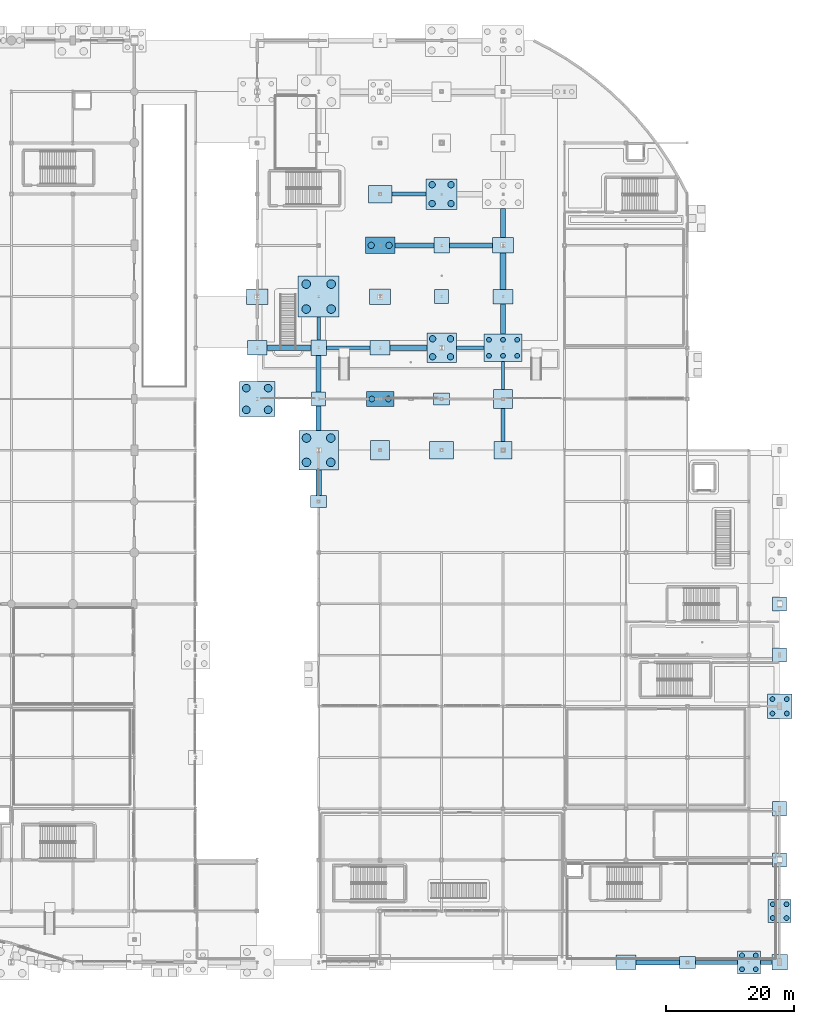
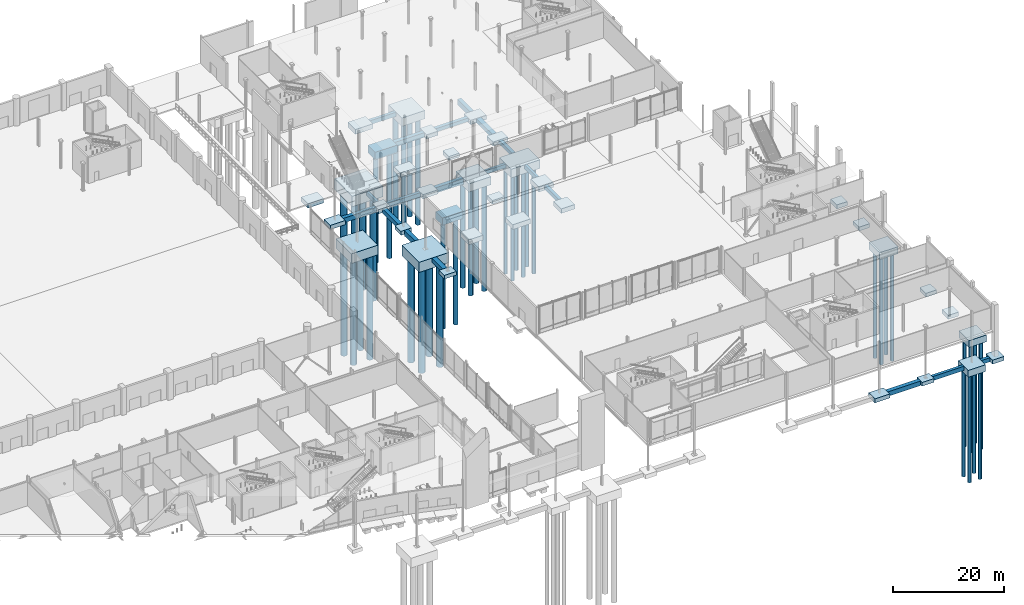
# One storey, part 2 of 124: 54 footings, 42 piles.
"""IFC4 building model written with IfcOpenShell, lengths in metres."""

import ifcopenshell
import ifcopenshell.guid

model = None  # the IFC model being written
_history = None  # IfcOwnerHistory: only IFC2X3 demands one
_inside = {}  # id of a spatial element -> (the spatial element, [elements in it])
_under = {}  # id of a project, library or spatial element -> (it, [spatial elements below it])
_declared = {}  # id of a project -> (the project, [libraries it declares])
_typed = {}  # id of a type object -> (the type object, [elements of that type])
_made_of = {}  # id of a material, layer set ... -> (it, [elements and type objects made of it])


def new_model(schema):
    """Start an empty IFC model of exactly this schema.

    Asked for "IFC4X3", IfcOpenShell would pick the latest addendum, in which some entities
    have other attributes; the version numbers below select the first issue.
    IFC2X3 requires an IfcOwnerHistory on every rooted entity: one is made here for all.
    """
    global model, _history
    if schema == "IFC4X3":
        model = ifcopenshell.file(schema_version=(4, 3, 0, 0))
    else:
        model = ifcopenshell.file(schema=schema)
    _inside.clear()
    _under.clear()
    _declared.clear()
    _typed.clear()
    _made_of.clear()
    _history = None
    if model.schema == "IFC2X3":
        org = make("IfcOrganization", Name="unknown")
        user = make(
            "IfcPersonAndOrganization",
            ThePerson=make("IfcPerson", FamilyName="unknown"),
            TheOrganization=org,
        )
        app = make(
            "IfcApplication",
            ApplicationDeveloper=org,
            Version="unknown",
            ApplicationFullName="unknown",
            ApplicationIdentifier="unknown",
        )
        _history = make(
            "IfcOwnerHistory",
            OwningUser=user,
            OwningApplication=app,
            ChangeAction="ADDED",
            CreationDate=0,
        )
    return model


def make(cls, **values):
    """One entity of the class cls with the attributes given. An attribute that is None is left unset."""
    return model.create_entity(
        cls, **{name: value for name, value in values.items() if value is not None}
    )


def rooted(cls, **values):
    """An entity with a GlobalId (a new one), such as an element, a storey or a relation."""
    return make(cls, GlobalId=ifcopenshell.guid.new(), OwnerHistory=_history, **values)


def si_unit(unit_type, name, prefix=None):
    """IfcSIUnit, for example si_unit("LENGTHUNIT", "METRE", prefix="MILLI")."""
    return make("IfcSIUnit", UnitType=unit_type, Prefix=prefix, Name=name)


def assignment(units):
    """IfcUnitAssignment: the units of a project."""
    return None if units is None else make("IfcUnitAssignment", Units=units)


def point(xyz):
    """IfcCartesianPoint."""
    return None if xyz is None else make("IfcCartesianPoint", Coordinates=xyz)


def direction(xyz):
    """IfcDirection."""
    return None if xyz is None else make("IfcDirection", DirectionRatios=xyz)


def frame(location, z_axis=None, x_axis=None):
    """IfcAxis2Placement3D, a coordinate frame: its origin and axes. An axis left out is left unset."""
    return make(
        "IfcAxis2Placement3D",
        Location=point(location),
        Axis=direction(z_axis),
        RefDirection=direction(x_axis),
    )


def frame_2d(location, x_axis=None):
    """IfcAxis2Placement2D, a coordinate frame in the plane: its origin and x axis."""
    return make(
        "IfcAxis2Placement2D", Location=point(location), RefDirection=direction(x_axis)
    )


def origin():
    """The frame at (0, 0, 0) with its axes left unset."""
    return frame((0.0, 0.0, 0.0))


def origin_2d():
    """The frame at (0, 0) in the plane with its x axis left unset."""
    return frame_2d((0.0, 0.0))


def place(relative_to, where):
    """IfcLocalPlacement: puts the frame where relative to a parent placement (None: the world)."""
    return make(
        "IfcLocalPlacement", PlacementRelTo=relative_to, RelativePlacement=where
    )


def context(
    kind, dimensions, precision=None, world=None, true_north=None, identifier=None
):
    """IfcGeometricRepresentationContext, for example the 3D "Model" context."""
    return make(
        "IfcGeometricRepresentationContext",
        ContextIdentifier=identifier,
        ContextType=kind,
        CoordinateSpaceDimension=dimensions,
        Precision=precision,
        WorldCoordinateSystem=world,
        TrueNorth=true_north,
    )


def subcontext(parent, identifier, kind, view, scale=None):
    """IfcGeometricRepresentationSubContext, for example "Body" below "Model"."""
    return make(
        "IfcGeometricRepresentationSubContext",
        ContextIdentifier=identifier,
        ContextType=kind,
        ParentContext=parent,
        TargetScale=scale,
        TargetView=view,
    )


def project(units=None, contexts=None):
    """IfcProject with its units and contexts."""
    return rooted(
        "IfcProject",
        Name="project",
        RepresentationContexts=contexts,
        UnitsInContext=assignment(units),
    )


def spatial(cls, under=None, at=None, **own):
    """A site, building, storey or space (cls), placed at a placement, below another one or the project."""
    s = rooted(cls, ObjectPlacement=at, **own)
    if under is not None:
        _under.setdefault(under.id(), (under, []))[1].append(s)
    return s


def profile(cls, at=None, kind="AREA", **sizes):
    """A parametric profile (cls). Its sizes go by their IFC names, for example OverallWidth=200.0."""
    return make(cls, ProfileType=kind, Position=at, **sizes)


def rectangle(**sizes):
    """IfcRectangleProfileDef."""
    return profile("IfcRectangleProfileDef", **sizes)


def circle(**sizes):
    """IfcCircleProfileDef."""
    return profile("IfcCircleProfileDef", **sizes)


def extrude(swept, where, along, depth):
    """IfcExtrudedAreaSolid: the profile swept, set in the frame where, extruded along a direction by depth."""
    return make(
        "IfcExtrudedAreaSolid",
        SweptArea=swept,
        Position=where,
        ExtrudedDirection=direction(along),
        Depth=depth,
    )


def shape(context_of_items, identifier, shape_type, items):
    """IfcShapeRepresentation: the items that make up one representation, for example the "Body"."""
    return make(
        "IfcShapeRepresentation",
        ContextOfItems=context_of_items,
        RepresentationIdentifier=identifier,
        RepresentationType=shape_type,
        Items=items,
    )


def material(Name=None, Category=None):
    """IfcMaterial."""
    return make("IfcMaterial", Name=Name, Category=Category)


def material_profile(
    of_material, cross_section, Name=None, Category=None, Priority=None
):
    """IfcMaterialProfile: a cross section and its material."""
    return make(
        "IfcMaterialProfile",
        Name=Name,
        Material=of_material,
        Profile=cross_section,
        Priority=Priority,
        Category=Category,
    )


def profile_set(profiles, Name=None, composite=None):
    """IfcMaterialProfileSet."""
    return make(
        "IfcMaterialProfileSet",
        Name=Name,
        MaterialProfiles=profiles,
        CompositeProfile=composite,
    )


def made_of(thing, what):
    """Note that an element or type object is made of a material, layer set ...; save() writes the relation."""
    if what is not None:
        _made_of.setdefault(what.id(), (what, []))[1].append(thing)
    return thing


def type_object(cls, material=None, **own):
    """A type object (cls), such as IfcWallType, which elements share."""
    return made_of(rooted(cls, **own), material)


def element(
    cls,
    number,
    at=None,
    inside=None,
    cuts=None,
    type_object=None,
    material=None,
    context=None,
    identifier="Body",
    shape_type=None,
    held_by="IfcProductDefinitionShape",
    body=None,
    shapes=None,
    **own,
):
    """One element of the class cls, such as IfcWall. Its Tag is "e" and its number.

    at: its placement. inside: the storey or other place that contains it. cuts: it is an
    opening in that element (IfcRelVoidsElement). A single representation is given by context,
    identifier, shape_type and body (its items); several are given by shapes. held_by: the class
    of the entity that holds the representations. save() writes the other relations.
    """
    e = rooted(cls, Tag="e%d" % number, ObjectPlacement=at, **own)
    if body is not None:
        shapes = [shape(context, identifier, shape_type, body)]
    if shapes is not None:
        e.Representation = make(held_by, Representations=shapes)
    if inside is not None:
        _inside.setdefault(inside.id(), (inside, []))[1].append(e)
    if cuts is not None:
        rooted(
            "IfcRelVoidsElement", RelatingBuildingElement=cuts, RelatedOpeningElement=e
        )
    if type_object is not None:
        _typed.setdefault(type_object.id(), (type_object, []))[1].append(e)
    return made_of(e, material)


def aggregate(whole, parts):
    """IfcRelAggregates: a whole, such as a stair, and the parts it consists of."""
    return rooted("IfcRelAggregates", RelatingObject=whole, RelatedObjects=parts)


def save(model, path):
    """Write the relations noted so far, then the file.

    IfcRelAggregates (storeys below a building ...), IfcRelContainedInSpatialStructure (elements
    in a storey), IfcRelDefinesByType, IfcRelAssociatesMaterial and IfcRelDeclares: one each for
    every whole, place, type object, material and project.
    """
    for whole, parts in _under.values():
        aggregate(whole, parts)
    for where, things in _inside.values():
        rooted(
            "IfcRelContainedInSpatialStructure",
            RelatedElements=things,
            RelatingStructure=where,
        )
    for kind, things in _typed.values():
        rooted("IfcRelDefinesByType", RelatedObjects=things, RelatingType=kind)
    for what, things in _made_of.values():
        rooted("IfcRelAssociatesMaterial", RelatedObjects=things, RelatingMaterial=what)
    for by, libraries in _declared.values():
        rooted("IfcRelDeclares", RelatingContext=by, RelatedDefinitions=libraries)
    model.write(path)


model = new_model("IFC4")

# Units and contexts
model_context = context("Model", 3, precision=1e-05, world=origin(), true_north=direction((0.0, 1.0)))
body_context = subcontext(model_context, "Body", "Model", "MODEL_VIEW")
ifc_project = project(units=[si_unit("LENGTHUNIT", "METRE"), si_unit("AREAUNIT", "SQUARE_METRE"), si_unit("VOLUMEUNIT", "CUBIC_METRE"), si_unit("PLANEANGLEUNIT", "RADIAN"), si_unit("MASSUNIT", "GRAM", prefix="KILO")], contexts=[model_context])

# Site, building, storey
site_placement = place(None, origin())
site = spatial("IfcSite", under=ifc_project, at=site_placement, CompositionType="ELEMENT")
building_placement = place(site_placement, origin())
building = spatial("IfcBuilding", under=site, at=building_placement, Name="Danafjord Basin Convention Centre", CompositionType="ELEMENT")
storey_placement = place(building_placement, origin())
storey = spatial("IfcBuildingStorey", under=building, at=storey_placement, Name="L00", CompositionType="ELEMENT", Elevation=0.0)

# Footings
ifc_material_1 = material(Name="Concrete C40/50", Category="concrete")
footing_type_1 = type_object("IfcFootingType", Name="CAP-PC-04", PredefinedType="PILE_CAP", material=ifc_material_1)
footing_1_placement = place(storey_placement, frame((153.60009765625, 88.0, -7.0), z_axis=(0.0, 0.0, 1.0), x_axis=(1.0, 0.0, 0.0)))
element("IfcFooting", 1, at=footing_1_placement, inside=storey, type_object=footing_type_1, Name="L00 pile cap PC-04 at (153.6, 88.0)", PredefinedType="PILE_CAP", context=body_context, shape_type="SweptSolid", body=[
    extrude(rectangle(XDim=4.300048828125, YDim=2.39990234375, at=origin_2d()), origin(), (0.0, 0.0, 1.0), 1.60009765625),
])
footing_type_2 = type_object("IfcFootingType", Name="CAP-PC-05", PredefinedType="PILE_CAP", material=ifc_material_1)
footing_2_placement = place(storey_placement, frame((153.60009765625, 112.0, -7.10009765625), z_axis=(0.0, 0.0, 1.0), x_axis=(1.0, 0.0, 0.0)))
element("IfcFooting", 2, at=footing_2_placement, inside=storey, type_object=footing_type_2, Name="L00 pile cap PC-05 at (153.6, 112.0)", PredefinedType="PILE_CAP", context=body_context, shape_type="SweptSolid", body=[
    extrude(rectangle(XDim=4.60009765625, YDim=2.60009765625, at=origin_2d()), origin(), (0.0, 0.0, 1.0), 1.699951171875),
])
footing_type_3 = type_object("IfcFootingType", Name="CAP-PC-06", PredefinedType="PILE_CAP", material=ifc_material_1)
for number, where, z_axis, x_axis, name in (
    (3, (211.199951171875, 0.0, -6.89990234375), (0.0, 0.0, 1.0), (1.0, 0.0, 0.0), "L00 pile cap PC-06 at (211.2, 0.0)"),
    (4, (216.0, 8.0, -6.89990234375), (0.0, 0.0, 1.0), (1.0, 0.0, 0.0), "L00 pile cap PC-06 at (216.0, 8.0)"),
):
    element("IfcFooting", number, at=place(storey_placement, frame(where, z_axis=z_axis, x_axis=x_axis)), inside=storey, type_object=footing_type_3, Name=name, PredefinedType="PILE_CAP", context=body_context, shape_type="SweptSolid", body=[
        extrude(rectangle(XDim=3.60009765625, YDim=3.60009765625, at=origin_2d()), origin(), (0.0, 0.0, 1.0), 1.5),
    ])
footing_type_4 = type_object("IfcFootingType", Name="CAP-PC-07", PredefinedType="PILE_CAP", material=ifc_material_1)
footing_3_placement = place(storey_placement, frame((216.0, 40.0, -6.9501953125), z_axis=(0.0, 0.0, 1.0), x_axis=(1.0, 0.0, 0.0)))
element("IfcFooting", 5, at=footing_3_placement, inside=storey, type_object=footing_type_4, Name="L00 pile cap PC-07 at (216.0, 40.0)", PredefinedType="PILE_CAP", context=body_context, shape_type="SweptSolid", body=[
    extrude(rectangle(XDim=3.800048828125, YDim=3.800048828125, at=origin_2d()), origin(), (0.0, 0.0, 1.0), 1.550048828125),
])
footing_type_5 = type_object("IfcFootingType", Name="CAP-PC-10", PredefinedType="PILE_CAP", material=ifc_material_1)
footing_4_placement = place(storey_placement, frame((163.199951171875, 96.0, -7.2001953125), z_axis=(0.0, 0.0, 1.0), x_axis=(1.0, 0.0, 0.0)))
element("IfcFooting", 6, at=footing_4_placement, inside=storey, type_object=footing_type_5, Name="L00 pile cap PC-10 at (163.2, 96.0)", PredefinedType="PILE_CAP", context=body_context, shape_type="SweptSolid", body=[
    extrude(rectangle(XDim=4.60009765625, YDim=4.60009765625, at=origin_2d()), origin(), (0.0, 0.0, 1.0), 1.800048828125),
])
footing_type_6 = type_object("IfcFootingType", Name="CAP-PC-11", PredefinedType="PILE_CAP", material=ifc_material_1)
footing_5_placement = place(storey_placement, frame((163.199951171875, 120.0, -7.25), z_axis=(0.0, 0.0, 1.0), x_axis=(1.0, 0.0, 0.0)))
element("IfcFooting", 7, at=footing_5_placement, inside=storey, type_object=footing_type_6, Name="L00 pile cap PC-11 at (163.2, 120.0)", PredefinedType="PILE_CAP", context=body_context, shape_type="SweptSolid", body=[
    extrude(rectangle(XDim=4.800048828125, YDim=4.800048828125, at=origin_2d()), origin(), (0.0, 0.0, 1.0), 1.85009765625),
])
footing_type_7 = type_object("IfcFootingType", Name="CAP-PC-14", PredefinedType="PILE_CAP", material=ifc_material_1)
footing_6_placement = place(storey_placement, frame((134.39990234375, 88.0, -7.5), z_axis=(0.0, 0.0, 1.0), x_axis=(1.0, 0.0, 0.0)))
element("IfcFooting", 8, at=footing_6_placement, inside=storey, type_object=footing_type_7, Name="L00 pile cap PC-14 at (134.4, 88.0)", PredefinedType="PILE_CAP", context=body_context, shape_type="SweptSolid", body=[
    extrude(rectangle(XDim=5.5, YDim=5.5, at=origin_2d()), origin(), (0.0, 0.0, 1.0), 2.10009765625),
])
footing_type_8 = type_object("IfcFootingType", Name="CAP-PC-16", PredefinedType="PILE_CAP", material=ifc_material_1)
footing_7_placement = place(storey_placement, frame((172.800048828125, 96.0, -7.300048828125), z_axis=(0.0, 0.0, 1.0), x_axis=(1.0, 0.0, 0.0)))
element("IfcFooting", 9, at=footing_7_placement, inside=storey, type_object=footing_type_8, Name="L00 pile cap PC-16 at (172.8, 96.0)", PredefinedType="PILE_CAP", context=body_context, shape_type="SweptSolid", body=[
    extrude(rectangle(XDim=6.0, YDim=4.300048828125, at=origin_2d()), origin(), (0.0, 0.0, 1.0), 1.89990234375),
])
footing_type_9 = type_object("IfcFootingType", Name="CAP-PC-20", PredefinedType="PILE_CAP", material=ifc_material_1)
footing_8_placement = place(storey_placement, frame((144.0, 80.0, -7.64990234375), z_axis=(0.0, 0.0, 1.0), x_axis=(1.0, 0.0, 0.0)))
element("IfcFooting", 10, at=footing_8_placement, inside=storey, type_object=footing_type_9, Name="L00 pile cap PC-20 at (144.0, 80.0)", PredefinedType="PILE_CAP", context=body_context, shape_type="SweptSolid", body=[
    extrude(rectangle(XDim=6.199951171875, YDim=6.199951171875, at=origin_2d()), origin(), (0.0, 0.0, 1.0), 2.25),
])
footing_type_10 = type_object("IfcFootingType", Name="CAP-PC-21", PredefinedType="PILE_CAP", material=ifc_material_1)
footing_9_placement = place(storey_placement, frame((144.0, 104.0, -7.7001953125), z_axis=(0.0, 0.0, 1.0), x_axis=(1.0, 0.0, 0.0)))
element("IfcFooting", 11, at=footing_9_placement, inside=storey, type_object=footing_type_10, Name="L00 pile cap PC-21 at (144.0, 104.0)", PredefinedType="PILE_CAP", context=body_context, shape_type="SweptSolid", body=[
    extrude(rectangle(XDim=6.39990234375, YDim=6.39990234375, at=origin_2d()), origin(), (0.0, 0.0, 1.0), 2.300048828125),
])
ifc_material_profile_1 = material_profile(ifc_material_1, rectangle(XDim=0.800048828125, YDim=1.0, at=origin_2d()), Name="GB 800x1000")
ifc_profile_set_1 = profile_set([ifc_material_profile_1], Name="Concrete C40/50")
footing_type_11 = type_object("IfcFootingType", Name="FBM-FB-01", PredefinedType="FOOTING_BEAM", material=ifc_profile_set_1)
footing_10_placement = place(storey_placement, frame((135.949951171875, 96.0, -5.89990234375), z_axis=(1.0, 0.0, 0.0), x_axis=(0.0, 1.0, 0.0)))
element("IfcFooting", 12, at=footing_10_placement, inside=storey, type_object=footing_type_11, Name="L00 foundation beam FB-01", PredefinedType="FOOTING_BEAM", context=body_context, shape_type="SweptSolid", body=[
    extrude(rectangle(XDim=0.800048828125, YDim=1.0, at=origin_2d()), origin(), (0.0, 0.0, 1.0), 6.85009765625),
])
footing_11_placement = place(storey_placement, frame((144.0, 89.10009765625, -5.89990234375), z_axis=(0.0, 1.0, 0.0), x_axis=(-1.0, 0.0, 0.0)))
element("IfcFooting", 13, at=footing_11_placement, inside=storey, type_object=footing_type_11, Name="L00 foundation tie beam FB-01", PredefinedType="FOOTING_BEAM", context=body_context, shape_type="SweptSolid", body=[
    extrude(rectangle(XDim=0.800048828125, YDim=1.0, at=origin_2d()), origin(), (0.0, 0.0, 1.0), 5.699951171875),
])
footing_12_placement = place(storey_placement, frame((155.89990234375, 112.0, -5.89990234375), z_axis=(1.0, 0.0, 0.0), x_axis=(0.0, 1.0, 0.0)))
element("IfcFooting", 14, at=footing_12_placement, inside=storey, type_object=footing_type_11, Name="L00 foundation beam FB-01", PredefinedType="FOOTING_BEAM", context=body_context, shape_type="SweptSolid", body=[
    extrude(rectangle(XDim=0.800048828125, YDim=1.0, at=origin_2d()), origin(), (0.0, 0.0, 1.0), 6.10009765625),
])
footing_13_placement = place(storey_placement, frame((193.550048828125, 0.0, -5.89990234375), z_axis=(1.0, 0.0, 0.0), x_axis=(0.0, 1.0, 0.0)))
element("IfcFooting", 15, at=footing_13_placement, inside=storey, type_object=footing_type_11, Name="L00 foundation beam FB-01", PredefinedType="FOOTING_BEAM", context=body_context, shape_type="SweptSolid", body=[
    extrude(rectangle(XDim=0.800048828125, YDim=1.0, at=origin_2d()), origin(), (0.0, 0.0, 1.0), 6.800048828125),
])
ifc_material_profile_2 = material_profile(ifc_material_1, rectangle(XDim=0.60009765625, YDim=0.89990234375, at=origin_2d()), Name="GB 600x900")
ifc_profile_set_2 = profile_set([ifc_material_profile_2], Name="Concrete C40/50")
footing_type_12 = type_object("IfcFootingType", Name="FBM-FB-02", PredefinedType="FOOTING_BEAM", material=ifc_profile_set_2)
footing_14_placement = place(storey_placement, frame((145.199951171875, 96.0, -5.85009765625), z_axis=(1.0, 0.0, 0.0), x_axis=(0.0, 1.0, 0.0)))
element("IfcFooting", 16, at=footing_14_placement, inside=storey, type_object=footing_type_12, Name="L00 foundation beam FB-02", PredefinedType="FOOTING_BEAM", context=body_context, shape_type="SweptSolid", body=[
    extrude(rectangle(XDim=0.60009765625, YDim=0.89990234375, at=origin_2d()), origin(), (0.0, 0.0, 1.0), 6.85009765625),
])
footing_15_placement = place(storey_placement, frame((155.449951171875, 120.0, -5.85009765625), z_axis=(1.0, 0.0, 0.0), x_axis=(0.0, 1.0, 0.0)))
element("IfcFooting", 17, at=footing_15_placement, inside=storey, type_object=footing_type_12, Name="L00 foundation beam FB-02", PredefinedType="FOOTING_BEAM", context=body_context, shape_type="SweptSolid", body=[
    extrude(rectangle(XDim=0.60009765625, YDim=0.89990234375, at=origin_2d()), origin(), (0.0, 0.0, 1.0), 5.35009765625),
])
footing_16_placement = place(storey_placement, frame((172.800048828125, 81.39990234375, -5.85009765625), z_axis=(0.0, 1.0, 0.0), x_axis=(-1.0, 0.0, 0.0)))
element("IfcFooting", 18, at=footing_16_placement, inside=storey, type_object=footing_type_12, Name="L00 foundation tie beam FB-02", PredefinedType="FOOTING_BEAM", context=body_context, shape_type="SweptSolid", body=[
    extrude(rectangle(XDim=0.60009765625, YDim=0.89990234375, at=origin_2d()), origin(), (0.0, 0.0, 1.0), 5.10009765625),
])
footing_17_placement = place(storey_placement, frame((202.85009765625, 0.0, -5.85009765625), z_axis=(1.0, 0.0, 0.0), x_axis=(0.0, 1.0, 0.0)))
element("IfcFooting", 19, at=footing_17_placement, inside=storey, type_object=footing_type_12, Name="L00 foundation beam FB-02", PredefinedType="FOOTING_BEAM", context=body_context, shape_type="SweptSolid", body=[
    extrude(rectangle(XDim=0.60009765625, YDim=0.89990234375, at=origin_2d()), origin(), (0.0, 0.0, 1.0), 6.5498046875),
])
footing_18_placement = place(storey_placement, frame((213.0, 0.0, -5.85009765625), z_axis=(1.0, 0.0, 0.0), x_axis=(0.0, 1.0, 0.0)))
element("IfcFooting", 20, at=footing_18_placement, inside=storey, type_object=footing_type_12, Name="L00 foundation beam FB-02", PredefinedType="FOOTING_BEAM", context=body_context, shape_type="SweptSolid", body=[
    extrude(rectangle(XDim=0.60009765625, YDim=0.89990234375, at=origin_2d()), origin(), (0.0, 0.0, 1.0), 1.800048828125),
])
ifc_material_profile_3 = material_profile(ifc_material_1, rectangle(XDim=0.5, YDim=0.800048828125, at=origin_2d()), Name="PCB 500x800")
ifc_profile_set_3 = profile_set([ifc_material_profile_3], Name="Concrete C40/50")
footing_type_13 = type_object("IfcFootingType", Name="FBM-FB-03", PredefinedType="FOOTING_BEAM", material=ifc_profile_set_3)
footing_19_placement = place(storey_placement, frame((144.0, 97.199951171875, -5.800048828125), z_axis=(0.0, 1.0, 0.0), x_axis=(-1.0, 0.0, 0.0)))
element("IfcFooting", 21, at=footing_19_placement, inside=storey, type_object=footing_type_13, Name="L00 foundation tie beam FB-03", PredefinedType="FOOTING_BEAM", context=body_context, shape_type="SweptSolid", body=[
    extrude(rectangle(XDim=0.5, YDim=0.800048828125, at=origin_2d()), origin(), (0.0, 0.0, 1.0), 3.60009765625),
])
footing_20_placement = place(storey_placement, frame((165.5, 96.0, -5.800048828125), z_axis=(1.0, 0.0, 0.0), x_axis=(0.0, 1.0, 0.0)))
element("IfcFooting", 22, at=footing_20_placement, inside=storey, type_object=footing_type_13, Name="L00 foundation beam FB-03", PredefinedType="FOOTING_BEAM", context=body_context, shape_type="SweptSolid", body=[
    extrude(rectangle(XDim=0.5, YDim=0.800048828125, at=origin_2d()), origin(), (0.0, 0.0, 1.0), 4.300048828125),
])
footing_21_placement = place(storey_placement, frame((172.800048828125, 89.5, -5.800048828125), z_axis=(0.0, 1.0, 0.0), x_axis=(-1.0, 0.0, 0.0)))
element("IfcFooting", 23, at=footing_21_placement, inside=storey, type_object=footing_type_13, Name="L00 foundation tie beam FB-03", PredefinedType="FOOTING_BEAM", context=body_context, shape_type="SweptSolid", body=[
    extrude(rectangle(XDim=0.5, YDim=0.800048828125, at=origin_2d()), origin(), (0.0, 0.0, 1.0), 4.35009765625),
])
ifc_material_profile_4 = material_profile(ifc_material_1, rectangle(XDim=0.75, YDim=0.75, at=origin_2d()), Name="RC 750x750")
ifc_profile_set_4 = profile_set([ifc_material_profile_4], Name="Concrete C40/50")
footing_type_14 = type_object("IfcFootingType", Name="FBM-FB-04", PredefinedType="FOOTING_BEAM", material=ifc_profile_set_4)
footing_22_placement = place(storey_placement, frame((164.39990234375, 112.0, -5.77490234375), z_axis=(1.0, 0.0, 0.0), x_axis=(0.0, 1.0, 0.0)))
element("IfcFooting", 24, at=footing_22_placement, inside=storey, type_object=footing_type_14, Name="L00 foundation beam FB-04", PredefinedType="FOOTING_BEAM", context=body_context, shape_type="SweptSolid", body=[
    extrude(rectangle(XDim=0.75, YDim=0.75, at=origin_2d()), origin(), (0.0, 0.0, 1.0), 6.75),
])
footing_23_placement = place(storey_placement, frame((172.800048828125, 98.14990234375, -5.77490234375), z_axis=(0.0, 1.0, 0.0), x_axis=(-1.0, 0.0, 0.0)))
element("IfcFooting", 25, at=footing_23_placement, inside=storey, type_object=footing_type_14, Name="L00 foundation tie beam FB-04", PredefinedType="FOOTING_BEAM", context=body_context, shape_type="SweptSolid", body=[
    extrude(rectangle(XDim=0.75, YDim=0.75, at=origin_2d()), origin(), (0.0, 0.0, 1.0), 4.72509765625),
])
ifc_material_profile_5 = material_profile(ifc_material_1, rectangle(XDim=0.89990234375, YDim=0.89990234375, at=origin_2d()), Name="RC 900x900")
ifc_profile_set_5 = profile_set([ifc_material_profile_5], Name="Concrete C40/50")
footing_type_15 = type_object("IfcFootingType", Name="FBM-FB-05", PredefinedType="FOOTING_BEAM", material=ifc_profile_set_5)
footing_24_placement = place(storey_placement, frame((144.0, 72.949951171875, -5.85009765625), z_axis=(0.0, 1.0, 0.0), x_axis=(-1.0, 0.0, 0.0)))
element("IfcFooting", 26, at=footing_24_placement, inside=storey, type_object=footing_type_15, Name="L00 foundation tie beam FB-05", PredefinedType="FOOTING_BEAM", context=body_context, shape_type="SweptSolid", body=[
    extrude(rectangle(XDim=0.89990234375, YDim=0.89990234375, at=origin_2d()), origin(), (0.0, 0.0, 1.0), 3.949951171875),
])
footing_25_placement = place(storey_placement, frame((172.800048828125, 105.125, -5.85009765625), z_axis=(0.0, 1.0, 0.0), x_axis=(-1.0, 0.0, 0.0)))
element("IfcFooting", 27, at=footing_25_placement, inside=storey, type_object=footing_type_15, Name="L00 foundation tie beam FB-05", PredefinedType="FOOTING_BEAM", context=body_context, shape_type="SweptSolid", body=[
    extrude(rectangle(XDim=0.89990234375, YDim=0.89990234375, at=origin_2d()), origin(), (0.0, 0.0, 1.0), 5.675048828125),
])
ifc_material_profile_6 = material_profile(ifc_material_1, rectangle(XDim=0.800048828125, YDim=1.199951171875, at=origin_2d()), Name="RC 1200x800")
ifc_profile_set_6 = profile_set([ifc_material_profile_6], Name="Concrete C40/50")
footing_type_16 = type_object("IfcFootingType", Name="FBM-FB-06", PredefinedType="FOOTING_BEAM", material=ifc_profile_set_6)
footing_26_placement = place(storey_placement, frame((144.0, 83.10009765625, -6.0), z_axis=(0.0, 1.0, 0.0), x_axis=(-1.0, 0.0, 0.0)))
element("IfcFooting", 28, at=footing_26_placement, inside=storey, type_object=footing_type_16, Name="L00 foundation tie beam FB-06", PredefinedType="FOOTING_BEAM", context=body_context, shape_type="SweptSolid", body=[
    extrude(rectangle(XDim=0.800048828125, YDim=1.199951171875, at=origin_2d()), origin(), (0.0, 0.0, 1.0), 3.7998046875),
])
footing_27_placement = place(storey_placement, frame((155.14990234375, 96.0, -6.0), z_axis=(1.0, 0.0, 0.0), x_axis=(0.0, 1.0, 0.0)))
element("IfcFooting", 29, at=footing_27_placement, inside=storey, type_object=footing_type_16, Name="L00 foundation beam FB-06", PredefinedType="FOOTING_BEAM", context=body_context, shape_type="SweptSolid", body=[
    extrude(rectangle(XDim=0.800048828125, YDim=1.199951171875, at=origin_2d()), origin(), (0.0, 0.0, 1.0), 5.75),
])
footing_28_placement = place(storey_placement, frame((172.800048828125, 113.199951171875, -6.0), z_axis=(0.0, 1.0, 0.0), x_axis=(-1.0, 0.0, 0.0)))
element("IfcFooting", 30, at=footing_28_placement, inside=storey, type_object=footing_type_16, Name="L00 foundation tie beam FB-06", PredefinedType="FOOTING_BEAM", context=body_context, shape_type="SweptSolid", body=[
    extrude(rectangle(XDim=0.800048828125, YDim=1.199951171875, at=origin_2d()), origin(), (0.0, 0.0, 1.0), 4.550048828125),
])
ifc_material_2 = material(Name="Concrete C35/45", Category="concrete")
footing_type_17 = type_object("IfcFootingType", Name="PAD-PF-02", PredefinedType="PAD_FOOTING", material=ifc_material_2)
for number, where, z_axis, x_axis, name in (
    (31, (144.0, 88.0, -6.25), (0.0, 0.0, 1.0), (1.0, 0.0, 0.0), "L00 pad footing PF-02 at (144.0, 88.0)"),
    (32, (163.199951171875, 104.0, -6.25), (0.0, 0.0, 1.0), (1.0, 0.0, 0.0), "L00 pad footing PF-02 at (163.2, 104.0)"),
    (33, (216.0, 16.0, -6.25), (0.0, 0.0, 1.0), (1.0, 0.0, 0.0), "L00 pad footing PF-02 at (216.0, 16.0)"),
    (34, (216.0, 24.0, -6.25), (0.0, 0.0, 1.0), (1.0, 0.0, 0.0), "L00 pad footing PF-02 at (216.0, 24.0)"),
    (35, (216.0, 48.0, -6.25), (0.0, 0.0, 1.0), (1.0, 0.0, 0.0), "L00 pad footing PF-02 at (216.0, 48.0)"),
    (36, (216.0, 56.0, -6.25), (0.0, 0.0, 1.0), (1.0, 0.0, 0.0), "L00 pad footing PF-02 at (216.0, 56.0)"),
):
    element("IfcFooting", number, at=place(storey_placement, frame(where, z_axis=z_axis, x_axis=x_axis)), inside=storey, type_object=footing_type_17, Name=name, PredefinedType="PAD_FOOTING", context=body_context, shape_type="SweptSolid", body=[
        extrude(rectangle(XDim=2.199951171875, YDim=2.199951171875, at=origin_2d()), origin(), (0.0, 0.0, 1.0), 0.85009765625),
    ])
footing_type_18 = type_object("IfcFootingType", Name="PAD-PF-03", PredefinedType="PAD_FOOTING", material=ifc_material_2)
for number, where, z_axis, x_axis, name in (
    (37, (144.0, 96.0, -6.300048828125), (0.0, 0.0, 1.0), (1.0, 0.0, 0.0), "L00 pad footing PF-03 at (144.0, 96.0)"),
    (38, (163.199951171875, 112.0, -6.300048828125), (0.0, 0.0, 1.0), (1.0, 0.0, 0.0), "L00 pad footing PF-03 at (163.2, 112.0)"),
    (39, (216.0, 0.0, -6.300048828125), (0.0, 0.0, 1.0), (1.0, 0.0, 0.0), "L00 pad footing PF-03 at (216.0, 0.0)"),
):
    element("IfcFooting", number, at=place(storey_placement, frame(where, z_axis=z_axis, x_axis=x_axis)), inside=storey, type_object=footing_type_18, Name=name, PredefinedType="PAD_FOOTING", context=body_context, shape_type="SweptSolid", body=[
        extrude(rectangle(XDim=2.39990234375, YDim=2.39990234375, at=origin_2d()), origin(), (0.0, 0.0, 1.0), 0.89990234375),
    ])
footing_type_19 = type_object("IfcFootingType", Name="PAD-PF-05", PredefinedType="PAD_FOOTING", material=ifc_material_2)
footing_29_placement = place(storey_placement, frame((172.800048828125, 80.0, -6.39990234375), z_axis=(0.0, 0.0, 1.0), x_axis=(1.0, 0.0, 0.0)))
element("IfcFooting", 40, at=footing_29_placement, inside=storey, type_object=footing_type_19, Name="L00 pad footing PF-05 at (172.8, 80.0)", PredefinedType="PAD_FOOTING", context=body_context, shape_type="SweptSolid", body=[
    extrude(rectangle(XDim=2.800048828125, YDim=2.800048828125, at=origin_2d()), origin(), (0.0, 0.0, 1.0), 1.0),
])
footing_type_20 = type_object("IfcFootingType", Name="PAD-PF-06", PredefinedType="PAD_FOOTING", material=ifc_material_2)
for number, where, z_axis, x_axis, name in (
    (41, (153.60009765625, 80.0, -6.4501953125), (0.0, 0.0, 1.0), (1.0, 0.0, 0.0), "L00 pad footing PF-06 at (153.6, 80.0)"),
    (42, (172.800048828125, 88.0, -6.4501953125), (0.0, 0.0, 1.0), (1.0, 0.0, 0.0), "L00 pad footing PF-06 at (172.8, 88.0)"),
):
    element("IfcFooting", number, at=place(storey_placement, frame(where, z_axis=z_axis, x_axis=x_axis)), inside=storey, type_object=footing_type_20, Name=name, PredefinedType="PAD_FOOTING", context=body_context, shape_type="SweptSolid", body=[
        extrude(rectangle(XDim=3.0, YDim=3.0, at=origin_2d()), origin(), (0.0, 0.0, 1.0), 1.050048828125),
    ])
footing_type_21 = type_object("IfcFootingType", Name="PAD-PF-08", PredefinedType="PAD_FOOTING", material=ifc_material_2)
for number, where, z_axis, x_axis, name in (
    (43, (134.39990234375, 96.0, -6.300048828125), (0.0, 0.0, 1.0), (1.0, 0.0, 0.0), "L00 pad footing PF-08 at (134.4, 96.0)"),
    (44, (153.60009765625, 96.0, -6.300048828125), (0.0, 0.0, 1.0), (1.0, 0.0, 0.0), "L00 pad footing PF-08 at (153.6, 96.0)"),
    (45, (172.800048828125, 104.0, -6.300048828125), (0.0, 0.0, 1.0), (1.0, 0.0, 0.0), "L00 pad footing PF-08 at (172.8, 104.0)"),
    (46, (192.0, 0.0, -6.300048828125), (0.0, 0.0, 1.0), (1.0, 0.0, 0.0), "L00 pad footing PF-08 at (192.0, 0.0)"),
):
    element("IfcFooting", number, at=place(storey_placement, frame(where, z_axis=z_axis, x_axis=x_axis)), inside=storey, type_object=footing_type_21, Name=name, PredefinedType="PAD_FOOTING", context=body_context, shape_type="SweptSolid", body=[
        extrude(rectangle(XDim=3.10009765625, YDim=2.25, at=origin_2d()), origin(), (0.0, 0.0, 1.0), 0.89990234375),
    ])
footing_type_22 = type_object("IfcFootingType", Name="PAD-PF-09", PredefinedType="PAD_FOOTING", material=ifc_material_2)
for number, where, z_axis, x_axis, name in (
    (47, (134.39990234375, 104.0, -6.35009765625), (0.0, 0.0, 1.0), (1.0, 0.0, 0.0), "L00 pad footing PF-09 at (134.4, 104.0)"),
    (48, (153.60009765625, 104.0, -6.35009765625), (0.0, 0.0, 1.0), (1.0, 0.0, 0.0), "L00 pad footing PF-09 at (153.6, 104.0)"),
    (49, (172.800048828125, 112.0, -6.35009765625), (0.0, 0.0, 1.0), (1.0, 0.0, 0.0), "L00 pad footing PF-09 at (172.8, 112.0)"),
):
    element("IfcFooting", number, at=place(storey_placement, frame(where, z_axis=z_axis, x_axis=x_axis)), inside=storey, type_object=footing_type_22, Name=name, PredefinedType="PAD_FOOTING", context=body_context, shape_type="SweptSolid", body=[
        extrude(rectangle(XDim=3.300048828125, YDim=2.39990234375, at=origin_2d()), origin(), (0.0, 0.0, 1.0), 0.949951171875),
    ])
footing_type_23 = type_object("IfcFootingType", Name="PAD-PF-11", PredefinedType="PAD_FOOTING", material=ifc_material_2)
for number, where, z_axis, x_axis, name in (
    (50, (153.60009765625, 120.0, -6.4501953125), (0.0, 0.0, 1.0), (1.0, 0.0, 0.0), "L00 pad footing PF-11 at (153.6, 120.0)"),
    (51, (163.199951171875, 80.0, -6.4501953125), (0.0, 0.0, 1.0), (1.0, 0.0, 0.0), "L00 pad footing PF-11 at (163.2, 80.0)"),
):
    element("IfcFooting", number, at=place(storey_placement, frame(where, z_axis=z_axis, x_axis=x_axis)), inside=storey, type_object=footing_type_23, Name=name, PredefinedType="PAD_FOOTING", context=body_context, shape_type="SweptSolid", body=[
        extrude(rectangle(XDim=3.699951171875, YDim=2.699951171875, at=origin_2d()), origin(), (0.0, 0.0, 1.0), 1.050048828125),
    ])
footing_type_24 = type_object("IfcFootingType", Name="PAD-PF-12", PredefinedType="PAD_FOOTING", material=ifc_material_2)
for number, where, z_axis, x_axis, name in (
    (52, (144.0, 72.0, -6.2001953125), (0.0, 0.0, 1.0), (1.0, 0.0, 0.0), "L00 pad footing PF-12 at (144.0, 72.0)"),
    (53, (163.199951171875, 88.0, -6.2001953125), (0.0, 0.0, 1.0), (1.0, 0.0, 0.0), "L00 pad footing PF-12 at (163.2, 88.0)"),
    (54, (201.60009765625, 0.0, -6.2001953125), (0.0, 0.0, 1.0), (1.0, 0.0, 0.0), "L00 pad footing PF-12 at (201.6, 0.0)"),
):
    element("IfcFooting", number, at=place(storey_placement, frame(where, z_axis=z_axis, x_axis=x_axis)), inside=storey, type_object=footing_type_24, Name=name, PredefinedType="PAD_FOOTING", context=body_context, shape_type="SweptSolid", body=[
        extrude(rectangle(XDim=2.5, YDim=1.89990234375, at=origin_2d()), origin(), (0.0, 0.0, 1.0), 0.800048828125),
    ])

# Piles
ifc_material_profile_7 = material_profile(ifc_material_1, circle(Radius=0.5, at=origin_2d()), Name="PILE D1000")
ifc_profile_set_7 = profile_set([ifc_material_profile_7], Name="Concrete C40/50")
pile_type_1 = type_object("IfcPileType", Name="PILE-PL-1000", PredefinedType="BORED", material=ifc_profile_set_7)
for number, where, z_axis, x_axis, name in (
    (55, (152.199951171875, 112.0, -7.0), (0.0, 0.0, -1.0), (1.0, 0.0, 0.0), "PC-05 bored pile 1-1"),
    (56, (155.0, 112.0, -7.0), (0.0, 0.0, -1.0), (1.0, 0.0, 0.0), "PC-05 bored pile 2-1"),
):
    element("IfcPile", number, at=place(storey_placement, frame(where, z_axis=z_axis, x_axis=x_axis)), inside=storey, type_object=pile_type_1, Name=name, PredefinedType="BORED", context=body_context, shape_type="SweptSolid", body=[
        extrude(circle(Radius=0.5, at=origin_2d()), origin(), (0.0, 0.0, 1.0), 23.5),
    ])
for number, where, z_axis, x_axis, name in (
    (57, (161.800048828125, 94.60009765625, -7.10009765625), (0.0, 0.0, -1.0), (1.0, 0.0, 0.0), "PC-10 bored pile 1-1"),
    (58, (161.800048828125, 97.39990234375, -7.10009765625), (0.0, 0.0, -1.0), (1.0, 0.0, 0.0), "PC-10 bored pile 1-2"),
    (59, (164.60009765625, 94.60009765625, -7.10009765625), (0.0, 0.0, -1.0), (1.0, 0.0, 0.0), "PC-10 bored pile 2-1"),
    (60, (164.60009765625, 97.39990234375, -7.10009765625), (0.0, 0.0, -1.0), (1.0, 0.0, 0.0), "PC-10 bored pile 2-2"),
):
    element("IfcPile", number, at=place(storey_placement, frame(where, z_axis=z_axis, x_axis=x_axis)), inside=storey, type_object=pile_type_1, Name=name, PredefinedType="BORED", context=body_context, shape_type="SweptSolid", body=[
        extrude(circle(Radius=0.5, at=origin_2d()), origin(), (0.0, 0.0, 1.0), 23.39990234375),
    ])
for number, where, z_axis, x_axis, name in (
    (61, (161.72509765625, 118.52490234375, -7.14990234375), (0.0, 0.0, -1.0), (1.0, 0.0, 0.0), "PC-11 bored pile 1-1"),
    (62, (161.72509765625, 121.47509765625, -7.14990234375), (0.0, 0.0, -1.0), (1.0, 0.0, 0.0), "PC-11 bored pile 1-2"),
    (63, (164.675048828125, 118.52490234375, -7.14990234375), (0.0, 0.0, -1.0), (1.0, 0.0, 0.0), "PC-11 bored pile 2-1"),
    (64, (164.675048828125, 121.47509765625, -7.14990234375), (0.0, 0.0, -1.0), (1.0, 0.0, 0.0), "PC-11 bored pile 2-2"),
):
    element("IfcPile", number, at=place(storey_placement, frame(where, z_axis=z_axis, x_axis=x_axis)), inside=storey, type_object=pile_type_1, Name=name, PredefinedType="BORED", context=body_context, shape_type="SweptSolid", body=[
        extrude(circle(Radius=0.5, at=origin_2d()), origin(), (0.0, 0.0, 1.0), 23.35009765625),
    ])
ifc_material_profile_8 = material_profile(ifc_material_1, circle(Radius=0.60009765625, at=origin_2d()), Name="PILE D1200")
ifc_profile_set_8 = profile_set([ifc_material_profile_8], Name="Concrete C40/50")
pile_type_2 = type_object("IfcPileType", Name="PILE-PL-1200", PredefinedType="BORED", material=ifc_profile_set_8)
for number, where, z_axis, x_axis, name in (
    (65, (132.699951171875, 86.300048828125, -7.39990234375), (0.0, 0.0, -1.0), (1.0, 0.0, 0.0), "PC-14 bored pile 1-1"),
    (66, (132.699951171875, 89.699951171875, -7.39990234375), (0.0, 0.0, -1.0), (1.0, 0.0, 0.0), "PC-14 bored pile 1-2"),
    (67, (136.10009765625, 86.300048828125, -7.39990234375), (0.0, 0.0, -1.0), (1.0, 0.0, 0.0), "PC-14 bored pile 2-1"),
    (68, (136.10009765625, 89.699951171875, -7.39990234375), (0.0, 0.0, -1.0), (1.0, 0.0, 0.0), "PC-14 bored pile 2-2"),
):
    element("IfcPile", number, at=place(storey_placement, frame(where, z_axis=z_axis, x_axis=x_axis)), inside=storey, type_object=pile_type_2, Name=name, PredefinedType="BORED", context=body_context, shape_type="SweptSolid", body=[
        extrude(circle(Radius=0.60009765625, at=origin_2d()), origin(), (0.0, 0.0, 1.0), 23.10009765625),
    ])
ifc_material_profile_9 = material_profile(ifc_material_1, circle(Radius=0.675048828125, at=origin_2d()), Name="PILE D1350")
ifc_profile_set_9 = profile_set([ifc_material_profile_9], Name="Concrete C40/50")
pile_type_3 = type_object("IfcPileType", Name="PILE-PL-1350", PredefinedType="BORED", material=ifc_profile_set_9)
for number, where, z_axis, x_axis, name in (
    (69, (142.10009765625, 78.10009765625, -7.550048828125), (0.0, 0.0, -1.0), (1.0, 0.0, 0.0), "PC-20 bored pile 1-1"),
    (70, (142.10009765625, 81.89990234375, -7.550048828125), (0.0, 0.0, -1.0), (1.0, 0.0, 0.0), "PC-20 bored pile 1-2"),
    (71, (145.89990234375, 78.10009765625, -7.550048828125), (0.0, 0.0, -1.0), (1.0, 0.0, 0.0), "PC-20 bored pile 2-1"),
    (72, (145.89990234375, 81.89990234375, -7.550048828125), (0.0, 0.0, -1.0), (1.0, 0.0, 0.0), "PC-20 bored pile 2-2"),
):
    element("IfcPile", number, at=place(storey_placement, frame(where, z_axis=z_axis, x_axis=x_axis)), inside=storey, type_object=pile_type_3, Name=name, PredefinedType="BORED", context=body_context, shape_type="SweptSolid", body=[
        extrude(circle(Radius=0.675048828125, at=origin_2d()), origin(), (0.0, 0.0, 1.0), 22.949951171875),
    ])
for number, where, z_axis, x_axis, name in (
    (73, (142.050048828125, 102.050048828125, -7.60009765625), (0.0, 0.0, -1.0), (1.0, 0.0, 0.0), "PC-21 bored pile 1-1"),
    (74, (142.050048828125, 105.949951171875, -7.60009765625), (0.0, 0.0, -1.0), (1.0, 0.0, 0.0), "PC-21 bored pile 1-2"),
    (75, (145.949951171875, 102.050048828125, -7.60009765625), (0.0, 0.0, -1.0), (1.0, 0.0, 0.0), "PC-21 bored pile 2-1"),
    (76, (145.949951171875, 105.949951171875, -7.60009765625), (0.0, 0.0, -1.0), (1.0, 0.0, 0.0), "PC-21 bored pile 2-2"),
):
    element("IfcPile", number, at=place(storey_placement, frame(where, z_axis=z_axis, x_axis=x_axis)), inside=storey, type_object=pile_type_3, Name=name, PredefinedType="BORED", context=body_context, shape_type="SweptSolid", body=[
        extrude(circle(Radius=0.675048828125, at=origin_2d()), origin(), (0.0, 0.0, 1.0), 22.89990234375),
    ])
ifc_material_profile_10 = material_profile(ifc_material_1, circle(Radius=0.375, at=origin_2d()), Name="PILE D750")
ifc_profile_set_10 = profile_set([ifc_material_profile_10], Name="Concrete C40/50")
pile_type_4 = type_object("IfcPileType", Name="PILE-PL-750", PredefinedType="BORED", material=ifc_profile_set_10)
for number, where, z_axis, x_axis, name in (
    (77, (170.60009765625, 94.75, -7.199951171875), (0.0, 0.0, -1.0), (1.0, 0.0, 0.0), "PC-16 bored pile 1-1"),
    (78, (170.60009765625, 97.25, -7.199951171875), (0.0, 0.0, -1.0), (1.0, 0.0, 0.0), "PC-16 bored pile 1-2"),
    (79, (172.800048828125, 94.75, -7.199951171875), (0.0, 0.0, -1.0), (1.0, 0.0, 0.0), "PC-16 bored pile 2-1"),
    (80, (172.800048828125, 97.25, -7.199951171875), (0.0, 0.0, -1.0), (1.0, 0.0, 0.0), "PC-16 bored pile 2-2"),
    (81, (175.0, 94.75, -7.199951171875), (0.0, 0.0, -1.0), (1.0, 0.0, 0.0), "PC-16 bored pile 3-1"),
    (82, (175.0, 97.25, -7.199951171875), (0.0, 0.0, -1.0), (1.0, 0.0, 0.0), "PC-16 bored pile 3-2"),
):
    element("IfcPile", number, at=place(storey_placement, frame(where, z_axis=z_axis, x_axis=x_axis)), inside=storey, type_object=pile_type_4, Name=name, PredefinedType="BORED", context=body_context, shape_type="SweptSolid", body=[
        extrude(circle(Radius=0.375, at=origin_2d()), origin(), (0.0, 0.0, 1.0), 23.300048828125),
    ])
for number, where, z_axis, x_axis, name in (
    (83, (210.125, -1.074951171875, -6.800048828125), (0.0, 0.0, -1.0), (1.0, 0.0, 0.0), "PC-06 bored pile 1-1"),
    (84, (210.125, 1.074951171875, -6.800048828125), (0.0, 0.0, -1.0), (1.0, 0.0, 0.0), "PC-06 bored pile 1-2"),
    (85, (212.27490234375, -1.074951171875, -6.800048828125), (0.0, 0.0, -1.0), (1.0, 0.0, 0.0), "PC-06 bored pile 2-1"),
    (86, (212.27490234375, 1.074951171875, -6.800048828125), (0.0, 0.0, -1.0), (1.0, 0.0, 0.0), "PC-06 bored pile 2-2"),
    (87, (214.925048828125, 6.925048828125, -6.800048828125), (0.0, 0.0, -1.0), (1.0, 0.0, 0.0), "PC-06 bored pile 1-1"),
    (88, (214.925048828125, 9.074951171875, -6.800048828125), (0.0, 0.0, -1.0), (1.0, 0.0, 0.0), "PC-06 bored pile 1-2"),
    (89, (217.074951171875, 6.925048828125, -6.800048828125), (0.0, 0.0, -1.0), (1.0, 0.0, 0.0), "PC-06 bored pile 2-1"),
    (90, (217.074951171875, 9.074951171875, -6.800048828125), (0.0, 0.0, -1.0), (1.0, 0.0, 0.0), "PC-06 bored pile 2-2"),
):
    element("IfcPile", number, at=place(storey_placement, frame(where, z_axis=z_axis, x_axis=x_axis)), inside=storey, type_object=pile_type_4, Name=name, PredefinedType="BORED", context=body_context, shape_type="SweptSolid", body=[
        extrude(circle(Radius=0.375, at=origin_2d()), origin(), (0.0, 0.0, 1.0), 23.699951171875),
    ])
for number, where, z_axis, x_axis, name in (
    (91, (214.875, 38.875, -6.85009765625), (0.0, 0.0, -1.0), (1.0, 0.0, 0.0), "PC-07 bored pile 1-1"),
    (92, (214.875, 41.125, -6.85009765625), (0.0, 0.0, -1.0), (1.0, 0.0, 0.0), "PC-07 bored pile 1-2"),
    (93, (217.125, 38.875, -6.85009765625), (0.0, 0.0, -1.0), (1.0, 0.0, 0.0), "PC-07 bored pile 2-1"),
    (94, (217.125, 41.125, -6.85009765625), (0.0, 0.0, -1.0), (1.0, 0.0, 0.0), "PC-07 bored pile 2-2"),
):
    element("IfcPile", number, at=place(storey_placement, frame(where, z_axis=z_axis, x_axis=x_axis)), inside=storey, type_object=pile_type_4, Name=name, PredefinedType="BORED", context=body_context, shape_type="SweptSolid", body=[
        extrude(circle(Radius=0.375, at=origin_2d()), origin(), (0.0, 0.0, 1.0), 23.64990234375),
    ])
ifc_material_profile_11 = material_profile(ifc_material_1, circle(Radius=0.449951171875, at=origin_2d()), Name="PILE D900")
ifc_profile_set_11 = profile_set([ifc_material_profile_11], Name="Concrete C40/50")
pile_type_5 = type_object("IfcPileType", Name="PILE-PL-900", PredefinedType="BORED", material=ifc_profile_set_11)
for number, where, z_axis, x_axis, name in (
    (95, (152.300048828125, 88.0, -6.89990234375), (0.0, 0.0, -1.0), (1.0, 0.0, 0.0), "PC-04 bored pile 1-1"),
    (96, (154.89990234375, 88.0, -6.89990234375), (0.0, 0.0, -1.0), (1.0, 0.0, 0.0), "PC-04 bored pile 2-1"),
):
    element("IfcPile", number, at=place(storey_placement, frame(where, z_axis=z_axis, x_axis=x_axis)), inside=storey, type_object=pile_type_5, Name=name, PredefinedType="BORED", context=body_context, shape_type="SweptSolid", body=[
        extrude(circle(Radius=0.449951171875, at=origin_2d()), origin(), (0.0, 0.0, 1.0), 23.60009765625),
    ])

save(model, "model.ifc")
